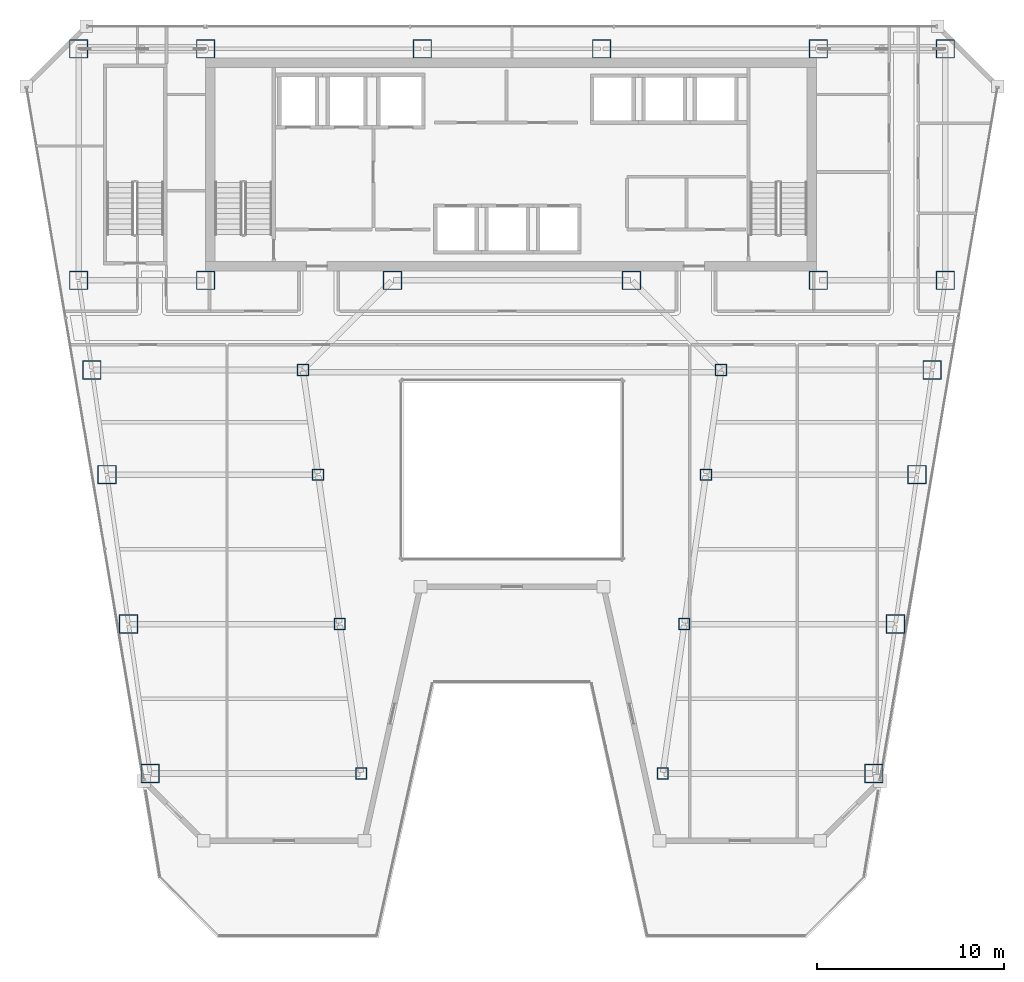
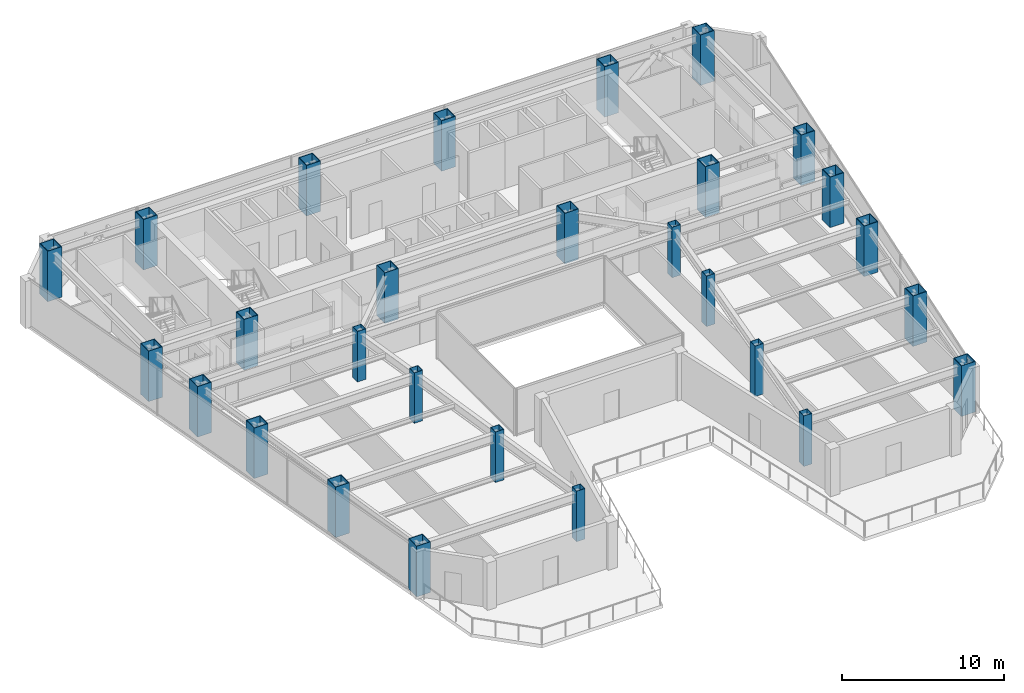
# One storey, part 1 of 31: 28 columns.
"""IFC4 building model written with IfcOpenShell, lengths in metres."""

import ifcopenshell
import ifcopenshell.guid

model = None  # the IFC model being written
_history = None  # IfcOwnerHistory: only IFC2X3 demands one
_inside = {}  # id of a spatial element -> (the spatial element, [elements in it])
_under = {}  # id of a project, library or spatial element -> (it, [spatial elements below it])
_declared = {}  # id of a project -> (the project, [libraries it declares])
_typed = {}  # id of a type object -> (the type object, [elements of that type])
_made_of = {}  # id of a material, layer set ... -> (it, [elements and type objects made of it])


def new_model(schema):
    """Start an empty IFC model of exactly this schema.

    Asked for "IFC4X3", IfcOpenShell would pick the latest addendum, in which some entities
    have other attributes; the version numbers below select the first issue.
    IFC2X3 requires an IfcOwnerHistory on every rooted entity: one is made here for all.
    """
    global model, _history
    if schema == "IFC4X3":
        model = ifcopenshell.file(schema_version=(4, 3, 0, 0))
    else:
        model = ifcopenshell.file(schema=schema)
    _inside.clear()
    _under.clear()
    _declared.clear()
    _typed.clear()
    _made_of.clear()
    _history = None
    if model.schema == "IFC2X3":
        org = make("IfcOrganization", Name="unknown")
        user = make(
            "IfcPersonAndOrganization",
            ThePerson=make("IfcPerson", FamilyName="unknown"),
            TheOrganization=org,
        )
        app = make(
            "IfcApplication",
            ApplicationDeveloper=org,
            Version="unknown",
            ApplicationFullName="unknown",
            ApplicationIdentifier="unknown",
        )
        _history = make(
            "IfcOwnerHistory",
            OwningUser=user,
            OwningApplication=app,
            ChangeAction="ADDED",
            CreationDate=0,
        )
    return model


def make(cls, **values):
    """One entity of the class cls with the attributes given. An attribute that is None is left unset."""
    return model.create_entity(
        cls, **{name: value for name, value in values.items() if value is not None}
    )


def rooted(cls, **values):
    """An entity with a GlobalId (a new one), such as an element, a storey or a relation."""
    return make(cls, GlobalId=ifcopenshell.guid.new(), OwnerHistory=_history, **values)


def si_unit(unit_type, name, prefix=None):
    """IfcSIUnit, for example si_unit("LENGTHUNIT", "METRE", prefix="MILLI")."""
    return make("IfcSIUnit", UnitType=unit_type, Prefix=prefix, Name=name)


def assignment(units):
    """IfcUnitAssignment: the units of a project."""
    return None if units is None else make("IfcUnitAssignment", Units=units)


def point(xyz):
    """IfcCartesianPoint."""
    return None if xyz is None else make("IfcCartesianPoint", Coordinates=xyz)


def direction(xyz):
    """IfcDirection."""
    return None if xyz is None else make("IfcDirection", DirectionRatios=xyz)


def frame(location, z_axis=None, x_axis=None):
    """IfcAxis2Placement3D, a coordinate frame: its origin and axes. An axis left out is left unset."""
    return make(
        "IfcAxis2Placement3D",
        Location=point(location),
        Axis=direction(z_axis),
        RefDirection=direction(x_axis),
    )


def frame_2d(location, x_axis=None):
    """IfcAxis2Placement2D, a coordinate frame in the plane: its origin and x axis."""
    return make(
        "IfcAxis2Placement2D", Location=point(location), RefDirection=direction(x_axis)
    )


def origin():
    """The frame at (0, 0, 0) with its axes left unset."""
    return frame((0.0, 0.0, 0.0))


def origin_2d():
    """The frame at (0, 0) in the plane with its x axis left unset."""
    return frame_2d((0.0, 0.0))


def place(relative_to, where):
    """IfcLocalPlacement: puts the frame where relative to a parent placement (None: the world)."""
    return make(
        "IfcLocalPlacement", PlacementRelTo=relative_to, RelativePlacement=where
    )


def context(
    kind, dimensions, precision=None, world=None, true_north=None, identifier=None
):
    """IfcGeometricRepresentationContext, for example the 3D "Model" context."""
    return make(
        "IfcGeometricRepresentationContext",
        ContextIdentifier=identifier,
        ContextType=kind,
        CoordinateSpaceDimension=dimensions,
        Precision=precision,
        WorldCoordinateSystem=world,
        TrueNorth=true_north,
    )


def subcontext(parent, identifier, kind, view, scale=None):
    """IfcGeometricRepresentationSubContext, for example "Body" below "Model"."""
    return make(
        "IfcGeometricRepresentationSubContext",
        ContextIdentifier=identifier,
        ContextType=kind,
        ParentContext=parent,
        TargetScale=scale,
        TargetView=view,
    )


def project(units=None, contexts=None):
    """IfcProject with its units and contexts."""
    return rooted(
        "IfcProject",
        Name="project",
        RepresentationContexts=contexts,
        UnitsInContext=assignment(units),
    )


def spatial(cls, under=None, at=None, **own):
    """A site, building, storey or space (cls), placed at a placement, below another one or the project."""
    s = rooted(cls, ObjectPlacement=at, **own)
    if under is not None:
        _under.setdefault(under.id(), (under, []))[1].append(s)
    return s


def profile(cls, at=None, kind="AREA", **sizes):
    """A parametric profile (cls). Its sizes go by their IFC names, for example OverallWidth=200.0."""
    return make(cls, ProfileType=kind, Position=at, **sizes)


def hollow_rectangle(**sizes):
    """IfcRectangleHollowProfileDef."""
    return profile("IfcRectangleHollowProfileDef", **sizes)


def extrude(swept, where, along, depth):
    """IfcExtrudedAreaSolid: the profile swept, set in the frame where, extruded along a direction by depth."""
    return make(
        "IfcExtrudedAreaSolid",
        SweptArea=swept,
        Position=where,
        ExtrudedDirection=direction(along),
        Depth=depth,
    )


def shape(context_of_items, identifier, shape_type, items):
    """IfcShapeRepresentation: the items that make up one representation, for example the "Body"."""
    return make(
        "IfcShapeRepresentation",
        ContextOfItems=context_of_items,
        RepresentationIdentifier=identifier,
        RepresentationType=shape_type,
        Items=items,
    )


def material(Name=None, Category=None):
    """IfcMaterial."""
    return make("IfcMaterial", Name=Name, Category=Category)


def material_profile(
    of_material, cross_section, Name=None, Category=None, Priority=None
):
    """IfcMaterialProfile: a cross section and its material."""
    return make(
        "IfcMaterialProfile",
        Name=Name,
        Material=of_material,
        Profile=cross_section,
        Priority=Priority,
        Category=Category,
    )


def profile_set(profiles, Name=None, composite=None):
    """IfcMaterialProfileSet."""
    return make(
        "IfcMaterialProfileSet",
        Name=Name,
        MaterialProfiles=profiles,
        CompositeProfile=composite,
    )


def made_of(thing, what):
    """Note that an element or type object is made of a material, layer set ...; save() writes the relation."""
    if what is not None:
        _made_of.setdefault(what.id(), (what, []))[1].append(thing)
    return thing


def type_object(cls, material=None, **own):
    """A type object (cls), such as IfcWallType, which elements share."""
    return made_of(rooted(cls, **own), material)


def element(
    cls,
    number,
    at=None,
    inside=None,
    cuts=None,
    type_object=None,
    material=None,
    context=None,
    identifier="Body",
    shape_type=None,
    held_by="IfcProductDefinitionShape",
    body=None,
    shapes=None,
    **own,
):
    """One element of the class cls, such as IfcWall. Its Tag is "e" and its number.

    at: its placement. inside: the storey or other place that contains it. cuts: it is an
    opening in that element (IfcRelVoidsElement). A single representation is given by context,
    identifier, shape_type and body (its items); several are given by shapes. held_by: the class
    of the entity that holds the representations. save() writes the other relations.
    """
    e = rooted(cls, Tag="e%d" % number, ObjectPlacement=at, **own)
    if body is not None:
        shapes = [shape(context, identifier, shape_type, body)]
    if shapes is not None:
        e.Representation = make(held_by, Representations=shapes)
    if inside is not None:
        _inside.setdefault(inside.id(), (inside, []))[1].append(e)
    if cuts is not None:
        rooted(
            "IfcRelVoidsElement", RelatingBuildingElement=cuts, RelatedOpeningElement=e
        )
    if type_object is not None:
        _typed.setdefault(type_object.id(), (type_object, []))[1].append(e)
    return made_of(e, material)


def aggregate(whole, parts):
    """IfcRelAggregates: a whole, such as a stair, and the parts it consists of."""
    return rooted("IfcRelAggregates", RelatingObject=whole, RelatedObjects=parts)


def save(model, path):
    """Write the relations noted so far, then the file.

    IfcRelAggregates (storeys below a building ...), IfcRelContainedInSpatialStructure (elements
    in a storey), IfcRelDefinesByType, IfcRelAssociatesMaterial and IfcRelDeclares: one each for
    every whole, place, type object, material and project.
    """
    for whole, parts in _under.values():
        aggregate(whole, parts)
    for where, things in _inside.values():
        rooted(
            "IfcRelContainedInSpatialStructure",
            RelatedElements=things,
            RelatingStructure=where,
        )
    for kind, things in _typed.values():
        rooted("IfcRelDefinesByType", RelatedObjects=things, RelatingType=kind)
    for what, things in _made_of.values():
        rooted("IfcRelAssociatesMaterial", RelatedObjects=things, RelatingMaterial=what)
    for by, libraries in _declared.values():
        rooted("IfcRelDeclares", RelatingContext=by, RelatedDefinitions=libraries)
    model.write(path)


model = new_model("IFC4")

# Units and contexts
model_context = context("Model", 3, precision=1e-05, world=origin(), true_north=direction((0.0, 1.0)))
body_context = subcontext(model_context, "Body", "Model", "MODEL_VIEW")
ifc_project = project(units=[si_unit("LENGTHUNIT", "METRE"), si_unit("AREAUNIT", "SQUARE_METRE"), si_unit("VOLUMEUNIT", "CUBIC_METRE"), si_unit("PLANEANGLEUNIT", "RADIAN"), si_unit("MASSUNIT", "GRAM", prefix="KILO")], contexts=[model_context])

# Site, building, storey
site_placement = place(None, origin())
site = spatial("IfcSite", under=ifc_project, at=site_placement, CompositionType="ELEMENT")
building_placement = place(site_placement, origin())
building = spatial("IfcBuilding", under=site, at=building_placement, Name="Saevonmaru Cultural Tower", CompositionType="ELEMENT")
storey_placement = place(building_placement, frame((0.0, 0.0, 167.60009765625)))
storey = spatial("IfcBuildingStorey", under=building, at=storey_placement, Name="L37", CompositionType="ELEMENT", Elevation=167.60009765625)

# Columns
ifc_material_1 = material(Name="Steel SM420", Category="steel")
ifc_material_profile_1 = material_profile(ifc_material_1, hollow_rectangle(XDim=1.0, YDim=1.0, WallThickness=0.044921875, at=origin_2d()), Name="BOX-1000x1000x45")
ifc_profile_set_1 = profile_set([ifc_material_profile_1], Name="Steel SM420")
column_type_1 = type_object("IfcColumnType", Name="COL-BOX-1000", PredefinedType="COLUMN", material=ifc_profile_set_1)
for number, where, z_axis, x_axis, name in (
    (1, (6.800048828125, 54.800048828125, 0.0), (0.0, 0.0, 1.0), (1.0, 0.0, 0.0), "L37 Column TC-N1N"),
    (2, (13.60009765625, 54.800048828125, 0.0), (0.0, 0.0, 1.0), (1.0, 0.0, 0.0), "L37 Column TC-N2N"),
    (3, (25.199951171875, 54.800048828125, 0.0), (0.0, 0.0, 1.0), (1.0, 0.0, 0.0), "L37 Column TC-N3N"),
    (4, (34.800048828125, 54.800048828125, 0.0), (0.0, 0.0, 1.0), (1.0, 0.0, 0.0), "L37 Column TC-N4N"),
    (5, (46.39990234375, 54.800048828125, 0.0), (0.0, 0.0, 1.0), (1.0, 0.0, 0.0), "L37 Column TC-N5N"),
    (6, (53.199951171875, 54.800048828125, 0.0), (0.0, 0.0, 1.0), (1.0, 0.0, 0.0), "L37 Column TC-N6N"),
    (7, (6.800048828125, 42.39990234375, 0.0), (0.0, 0.0, 1.0), (1.0, 0.0, 0.0), "L37 Column TC-S1C"),
    (8, (13.60009765625, 42.39990234375, 0.0), (0.0, 0.0, 1.0), (1.0, 0.0, 0.0), "L37 Column TC-S2C"),
    (9, (23.60009765625, 42.39990234375, 0.0), (0.0, 0.0, 1.0), (1.0, 0.0, 0.0), "L37 Column TC-S3C"),
    (10, (36.39990234375, 42.39990234375, 0.0), (0.0, 0.0, 1.0), (1.0, 0.0, 0.0), "L37 Column TC-S4C"),
    (11, (46.39990234375, 42.39990234375, 0.0), (0.0, 0.0, 1.0), (1.0, 0.0, 0.0), "L37 Column TC-S5C"),
    (12, (53.199951171875, 42.39990234375, 0.0), (0.0, 0.0, 1.0), (1.0, 0.0, 0.0), "L37 Column TC-S6C"),
    (13, (10.6279296875, 16.0, 0.0), (0.0, 0.0, 1.0), (1.0, 0.0, 0.0), "L37 Column TC-WO-Y160"),
    (14, (49.3720703125, 16.0, 0.0), (0.0, 0.0, 1.0), (1.0, 0.0, 0.0), "L37 Column TC-EO-Y160"),
    (15, (9.471923828125, 24.0, 0.0), (0.0, 0.0, 1.0), (1.0, 0.0, 0.0), "L37 Column TC-WO-Y240"),
    (16, (50.528076171875, 24.0, 0.0), (0.0, 0.0, 1.0), (1.0, 0.0, 0.0), "L37 Column TC-EO-Y240"),
    (17, (8.31689453125, 32.0, 0.0), (0.0, 0.0, 1.0), (1.0, 0.0, 0.0), "L37 Column TC-WO-Y320"),
    (18, (51.68310546875, 32.0, 0.0), (0.0, 0.0, 1.0), (1.0, 0.0, 0.0), "L37 Column TC-EO-Y320"),
    (19, (7.508056640625, 37.60009765625, 0.0), (0.0, 0.0, 1.0), (1.0, 0.0, 0.0), "L37 Column TC-WO-Y376"),
    (20, (52.491943359375, 37.60009765625, 0.0), (0.0, 0.0, 1.0), (1.0, 0.0, 0.0), "L37 Column TC-EO-Y376"),
):
    element("IfcColumn", number, at=place(storey_placement, frame(where, z_axis=z_axis, x_axis=x_axis)), inside=storey, type_object=column_type_1, Name=name, PredefinedType="COLUMN", context=body_context, shape_type="SweptSolid", body=[
        extrude(hollow_rectangle(XDim=1.0, YDim=1.0, WallThickness=0.044921875, at=origin_2d()), origin(), (0.0, 0.0, 1.0), 3.7998046875),
    ])
ifc_material_2 = material(Name="Steel SM355", Category="steel")
ifc_material_profile_2 = material_profile(ifc_material_2, hollow_rectangle(XDim=0.60009765625, YDim=0.60009765625, WallThickness=0.028076171875, at=origin_2d()), Name="BOX-600x600x28")
ifc_profile_set_2 = profile_set([ifc_material_profile_2], Name="Steel SM355")
column_type_2 = type_object("IfcColumnType", Name="COL-BOX-600", PredefinedType="COLUMN", material=ifc_profile_set_2)
for number, where, z_axis, x_axis, name in (
    (21, (21.927978515625, 16.0, 0.0), (0.0, 0.0, 1.0), (1.0, 0.0, 0.0), "L37 Column TC-WI-Y160"),
    (22, (38.072021484375, 16.0, 0.0), (0.0, 0.0, 1.0), (1.0, 0.0, 0.0), "L37 Column TC-EI-Y160"),
    (23, (20.77197265625, 24.0, 0.0), (0.0, 0.0, 1.0), (1.0, 0.0, 0.0), "L37 Column TC-WI-Y240"),
    (24, (39.22802734375, 24.0, 0.0), (0.0, 0.0, 1.0), (1.0, 0.0, 0.0), "L37 Column TC-EI-Y240"),
    (25, (19.616943359375, 32.0, 0.0), (0.0, 0.0, 1.0), (1.0, 0.0, 0.0), "L37 Column TC-WI-Y320"),
    (26, (40.383056640625, 32.0, 0.0), (0.0, 0.0, 1.0), (1.0, 0.0, 0.0), "L37 Column TC-EI-Y320"),
    (27, (18.80810546875, 37.60009765625, 0.0), (0.0, 0.0, 1.0), (1.0, 0.0, 0.0), "L37 Column TC-WI-Y376"),
    (28, (41.19189453125, 37.60009765625, 0.0), (0.0, 0.0, 1.0), (1.0, 0.0, 0.0), "L37 Column TC-EI-Y376"),
):
    element("IfcColumn", number, at=place(storey_placement, frame(where, z_axis=z_axis, x_axis=x_axis)), inside=storey, type_object=column_type_2, Name=name, PredefinedType="COLUMN", context=body_context, shape_type="SweptSolid", body=[
        extrude(hollow_rectangle(XDim=0.60009765625, YDim=0.60009765625, WallThickness=0.028076171875, at=origin_2d()), origin(), (0.0, 0.0, 1.0), 3.7998046875),
    ])

save(model, "model.ifc")
